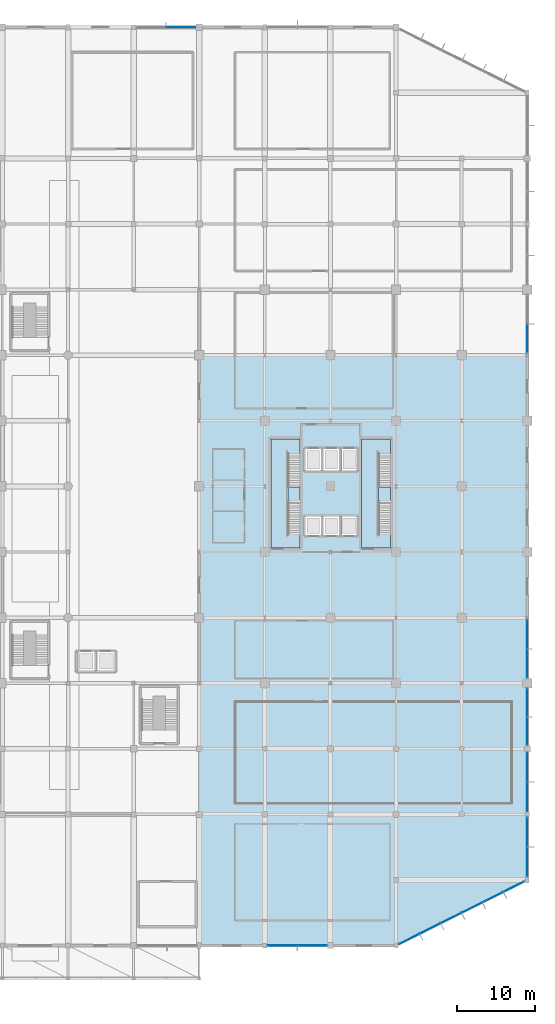
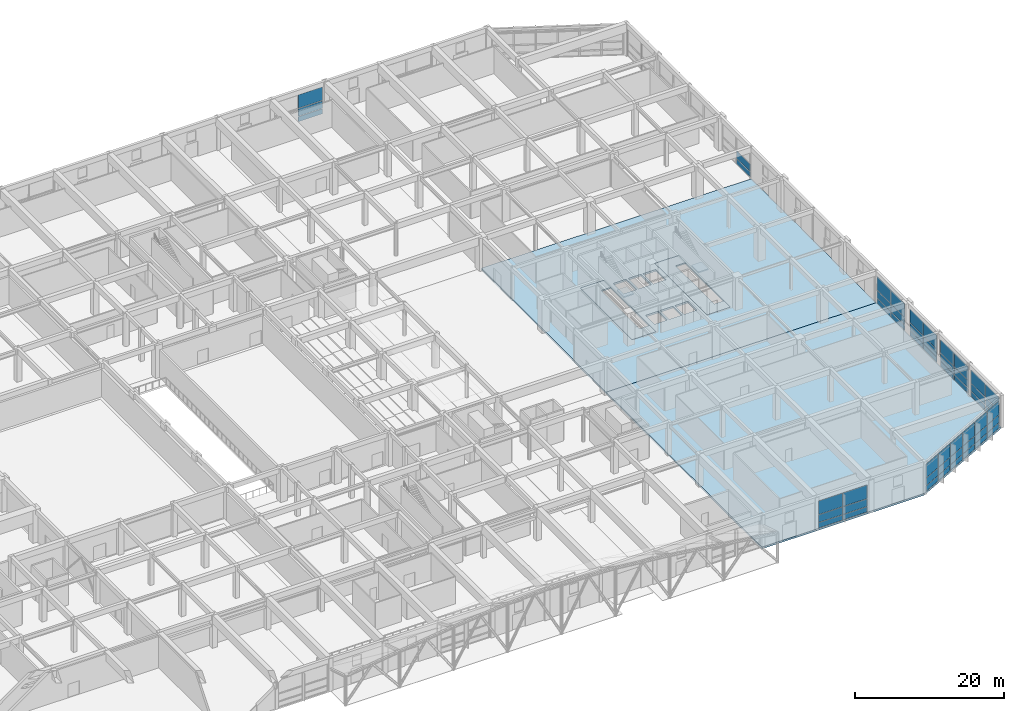
# One storey, part 39 of 62: 53 plates, 6 slabs, 10 elements without a shape of their own.
"""IFC4 building model written with IfcOpenShell, lengths in metres."""

from ifc_helpers import new_model, si_unit, direction, frame, origin, origin_2d, place, context, subcontext, project, spatial, polyline, rectangle, outline, extrude, material, layer, layer_set, type_object, element, aggregate, save


model = new_model("IFC4")

# Units and contexts
model_context = context("Model", 3, precision=1e-05, world=origin(), true_north=direction((0.0, 1.0)))
body_context = subcontext(model_context, "Body", "Model", "MODEL_VIEW")
ifc_project = project(units=[si_unit("LENGTHUNIT", "METRE"), si_unit("AREAUNIT", "SQUARE_METRE"), si_unit("VOLUMEUNIT", "CUBIC_METRE"), si_unit("PLANEANGLEUNIT", "RADIAN"), si_unit("MASSUNIT", "GRAM", prefix="KILO")], contexts=[model_context])

# Site, building, storey
site_placement = place(None, origin())
site = spatial("IfcSite", under=ifc_project, at=site_placement, CompositionType="ELEMENT")
building_placement = place(site_placement, origin())
building = spatial("IfcBuilding", under=site, at=building_placement, Name="Xuanlan Plaza Opera House", CompositionType="ELEMENT")
storey_placement = place(building_placement, origin())
storey = spatial("IfcBuildingStorey", under=building, at=storey_placement, Name="L00", CompositionType="ELEMENT", Elevation=0.0)

# Curtain wall, plates
ifc_material_1 = material(Name="Anodised Aluminium 6063-T6 and Low-E Glass", Category="aluminium")
curtain_wall_type_1 = type_object("IfcCurtainWallType", Name="ENV-CW-CW-04", PredefinedType="USERDEFINED", material=ifc_material_1)
curtain_wall_1_placement = place(storey_placement, origin())
curtain_wall_1 = element("IfcCurtainWall", 1, at=curtain_wall_1_placement, inside=storey, type_object=curtain_wall_type_1, Name="Unitised Curtain Wall L00-018", ObjectType="UNITISED CURTAIN WALL", PredefinedType="USERDEFINED")
ifc_material_2 = material(Name="Laminated Acoustic Double Glazing", Category="glass")
ifc_layer_1 = layer(ifc_material_2, 0.028076171875)
ifc_layer_set_1 = layer_set([ifc_layer_1], Name="Laminated Acoustic Double Glazing")
plate_type_1 = type_object("IfcPlateType", Name="ENV-CWP-01", PredefinedType="CURTAIN_PANEL", material=ifc_layer_set_1)
plate_1_placement = place(storey_placement, frame((168.0, 10.73876953125, 0.074951171875), z_axis=(0.0, 0.0, 1.0), x_axis=(0.0, 1.0, 0.0)))
plate_1 = element("IfcPlate", 2, at=plate_1_placement, type_object=plate_type_1, Name="CW-04 panel 1.1", PredefinedType="CURTAIN_PANEL", context=body_context, shape_type="SweptSolid", body=[
    extrude(rectangle(XDim=3.70751953125, YDim=0.028076171875, at=origin_2d()), origin(), (0.0, 0.0, 1.0), 0.83740234375),
])
plate_2_placement = place(storey_placement, frame((168.0, 10.73876953125, 0.987548828125), z_axis=(0.0, 0.0, 1.0), x_axis=(0.0, 1.0, 0.0)))
plate_2 = element("IfcPlate", 3, at=plate_2_placement, type_object=plate_type_1, Name="CW-04 panel 1.2", PredefinedType="CURTAIN_PANEL", context=body_context, shape_type="SweptSolid", body=[
    extrude(rectangle(XDim=3.70751953125, YDim=0.028076171875, at=origin_2d()), origin(), (0.0, 0.0, 1.0), 1.22509765625),
])
plate_3_placement = place(storey_placement, frame((168.0, 10.73876953125, 2.28759765625), z_axis=(0.0, 0.0, 1.0), x_axis=(0.0, 1.0, 0.0)))
plate_3 = element("IfcPlate", 4, at=plate_3_placement, type_object=plate_type_1, Name="CW-04 panel 1.3", PredefinedType="CURTAIN_PANEL", context=body_context, shape_type="SweptSolid", body=[
    extrude(rectangle(XDim=3.70751953125, YDim=0.028076171875, at=origin_2d()), origin(), (0.0, 0.0, 1.0), 2.217529296875),
])
plate_4_placement = place(storey_placement, frame((168.0, 14.5361328125, 0.074951171875), z_axis=(0.0, 0.0, 1.0), x_axis=(0.0, 1.0, 0.0)))
plate_4 = element("IfcPlate", 5, at=plate_4_placement, type_object=plate_type_1, Name="CW-04 panel 2.1", PredefinedType="CURTAIN_PANEL", context=body_context, shape_type="SweptSolid", body=[
    extrude(rectangle(XDim=3.70751953125, YDim=0.028076171875, at=origin_2d()), origin(), (0.0, 0.0, 1.0), 0.83740234375),
])
plate_5_placement = place(storey_placement, frame((168.0, 14.5361328125, 0.987548828125), z_axis=(0.0, 0.0, 1.0), x_axis=(0.0, 1.0, 0.0)))
plate_5 = element("IfcPlate", 6, at=plate_5_placement, type_object=plate_type_1, Name="CW-04 panel 2.2", PredefinedType="CURTAIN_PANEL", context=body_context, shape_type="SweptSolid", body=[
    extrude(rectangle(XDim=3.70751953125, YDim=0.028076171875, at=origin_2d()), origin(), (0.0, 0.0, 1.0), 1.22509765625),
])
plate_6_placement = place(storey_placement, frame((168.0, 14.5361328125, 2.28759765625), z_axis=(0.0, 0.0, 1.0), x_axis=(0.0, 1.0, 0.0)))
plate_6 = element("IfcPlate", 7, at=plate_6_placement, type_object=plate_type_1, Name="CW-04 panel 2.3", PredefinedType="CURTAIN_PANEL", context=body_context, shape_type="SweptSolid", body=[
    extrude(rectangle(XDim=3.70751953125, YDim=0.028076171875, at=origin_2d()), origin(), (0.0, 0.0, 1.0), 2.217529296875),
])
aggregate(curtain_wall_1, [plate_1, plate_2, plate_3, plate_4, plate_5, plate_6])

curtain_wall_type_2 = type_object("IfcCurtainWallType", Name="ENV-CW-CW-01", PredefinedType="USERDEFINED", material=ifc_material_1)
curtain_wall_2_placement = place(storey_placement, origin())
curtain_wall_2 = element("IfcCurtainWall", 8, at=curtain_wall_2_placement, inside=storey, type_object=curtain_wall_type_2, Name="Unitised Curtain Wall L00-015", ObjectType="UNITISED CURTAIN WALL", PredefinedType="USERDEFINED")
ifc_layer_2 = layer(ifc_material_2, 0.031982421875)
ifc_layer_set_2 = layer_set([ifc_layer_2], Name="Laminated Acoustic Double Glazing")
plate_type_2 = type_object("IfcPlateType", Name="ENV-CWP-02", PredefinedType="CURTAIN_PANEL", material=ifc_layer_set_2)
plate_7_placement = place(storey_placement, frame((136.652587890625, 0.0, 0.06982421875), z_axis=(0.0, 0.0, 1.0), x_axis=(1.0, 0.0, 0.0)))
plate_7 = element("IfcPlate", 9, at=plate_7_placement, type_object=plate_type_2, Name="CW-01 panel 1.1", PredefinedType="CURTAIN_PANEL", context=body_context, shape_type="SweptSolid", body=[
    extrude(rectangle(XDim=3.72509765625, YDim=0.031982421875, at=origin_2d()), origin(), (0.0, 0.0, 1.0), 0.844970703125),
])
plate_8_placement = place(storey_placement, frame((136.652587890625, 0.0, 0.985107421875), z_axis=(0.0, 0.0, 1.0), x_axis=(1.0, 0.0, 0.0)))
plate_8 = element("IfcPlate", 10, at=plate_8_placement, type_object=plate_type_2, Name="CW-01 panel 1.2", PredefinedType="CURTAIN_PANEL", context=body_context, shape_type="SweptSolid", body=[
    extrude(rectangle(XDim=3.72509765625, YDim=0.031982421875, at=origin_2d()), origin(), (0.0, 0.0, 1.0), 1.22998046875),
])
plate_9_placement = place(storey_placement, frame((136.652587890625, 0.0, 2.284912109375), z_axis=(0.0, 0.0, 1.0), x_axis=(1.0, 0.0, 0.0)))
plate_9 = element("IfcPlate", 11, at=plate_9_placement, type_object=plate_type_2, Name="CW-01 panel 1.3", PredefinedType="CURTAIN_PANEL", context=body_context, shape_type="SweptSolid", body=[
    extrude(rectangle(XDim=3.72509765625, YDim=0.031982421875, at=origin_2d()), origin(), (0.0, 0.0, 1.0), 2.22509765625),
])
plate_10_placement = place(storey_placement, frame((140.447509765625, 0.0, 0.06982421875), z_axis=(0.0, 0.0, 1.0), x_axis=(1.0, 0.0, 0.0)))
plate_10 = element("IfcPlate", 12, at=plate_10_placement, type_object=plate_type_2, Name="CW-01 panel 2.1", PredefinedType="CURTAIN_PANEL", context=body_context, shape_type="SweptSolid", body=[
    extrude(rectangle(XDim=3.72509765625, YDim=0.031982421875, at=origin_2d()), origin(), (0.0, 0.0, 1.0), 0.844970703125),
])
plate_11_placement = place(storey_placement, frame((140.447509765625, 0.0, 0.985107421875), z_axis=(0.0, 0.0, 1.0), x_axis=(1.0, 0.0, 0.0)))
plate_11 = element("IfcPlate", 13, at=plate_11_placement, type_object=plate_type_2, Name="CW-01 panel 2.2", PredefinedType="CURTAIN_PANEL", context=body_context, shape_type="SweptSolid", body=[
    extrude(rectangle(XDim=3.72509765625, YDim=0.031982421875, at=origin_2d()), origin(), (0.0, 0.0, 1.0), 1.22998046875),
])
plate_12_placement = place(storey_placement, frame((140.447509765625, 0.0, 2.284912109375), z_axis=(0.0, 0.0, 1.0), x_axis=(1.0, 0.0, 0.0)))
plate_12 = element("IfcPlate", 14, at=plate_12_placement, type_object=plate_type_2, Name="CW-01 panel 2.3", PredefinedType="CURTAIN_PANEL", context=body_context, shape_type="SweptSolid", body=[
    extrude(rectangle(XDim=3.72509765625, YDim=0.031982421875, at=origin_2d()), origin(), (0.0, 0.0, 1.0), 2.22509765625),
])
aggregate(curtain_wall_2, [plate_7, plate_8, plate_9, plate_10, plate_11, plate_12])

curtain_wall_type_3 = type_object("IfcCurtainWallType", Name="ENV-CW-CW-02", PredefinedType="USERDEFINED", material=ifc_material_1)
curtain_wall_3_placement = place(storey_placement, origin())
curtain_wall_3 = element("IfcCurtainWall", 15, at=curtain_wall_3_placement, inside=storey, type_object=curtain_wall_type_3, Name="Unitised Curtain Wall L00-020", ObjectType="UNITISED CURTAIN WALL", PredefinedType="USERDEFINED")
plate_13_placement = place(storey_placement, frame((168.0, 27.4775390625, 0.06982421875), z_axis=(0.0, 0.0, 1.0), x_axis=(0.0, 1.0, 0.0)))
plate_13 = element("IfcPlate", 16, at=plate_13_placement, type_object=plate_type_2, Name="CW-02 panel 1.1", PredefinedType="CURTAIN_PANEL", context=body_context, shape_type="SweptSolid", body=[
    extrude(rectangle(XDim=3.574951171875, YDim=0.031982421875, at=origin_2d()), origin(), (0.0, 0.0, 1.0), 0.844970703125),
])
plate_14_placement = place(storey_placement, frame((168.0, 27.4775390625, 0.985107421875), z_axis=(0.0, 0.0, 1.0), x_axis=(0.0, 1.0, 0.0)))
plate_14 = element("IfcPlate", 17, at=plate_14_placement, type_object=plate_type_2, Name="CW-02 panel 1.2", PredefinedType="CURTAIN_PANEL", context=body_context, shape_type="SweptSolid", body=[
    extrude(rectangle(XDim=3.574951171875, YDim=0.031982421875, at=origin_2d()), origin(), (0.0, 0.0, 1.0), 1.22998046875),
])
plate_15_placement = place(storey_placement, frame((168.0, 27.4775390625, 2.284912109375), z_axis=(0.0, 0.0, 1.0), x_axis=(0.0, 1.0, 0.0)))
plate_15 = element("IfcPlate", 18, at=plate_15_placement, type_object=plate_type_2, Name="CW-02 panel 1.3", PredefinedType="CURTAIN_PANEL", context=body_context, shape_type="SweptSolid", body=[
    extrude(rectangle(XDim=3.574951171875, YDim=0.031982421875, at=origin_2d()), origin(), (0.0, 0.0, 1.0), 2.22509765625),
])
plate_16_placement = place(storey_placement, frame((168.0, 31.12255859375, 0.06982421875), z_axis=(0.0, 0.0, 1.0), x_axis=(0.0, 1.0, 0.0)))
plate_16 = element("IfcPlate", 19, at=plate_16_placement, type_object=plate_type_2, Name="CW-02 panel 2.1", PredefinedType="CURTAIN_PANEL", context=body_context, shape_type="SweptSolid", body=[
    extrude(rectangle(XDim=3.574951171875, YDim=0.031982421875, at=origin_2d()), origin(), (0.0, 0.0, 1.0), 0.844970703125),
])
plate_17_placement = place(storey_placement, frame((168.0, 31.12255859375, 0.985107421875), z_axis=(0.0, 0.0, 1.0), x_axis=(0.0, 1.0, 0.0)))
plate_17 = element("IfcPlate", 20, at=plate_17_placement, type_object=plate_type_2, Name="CW-02 panel 2.2", PredefinedType="CURTAIN_PANEL", context=body_context, shape_type="SweptSolid", body=[
    extrude(rectangle(XDim=3.574951171875, YDim=0.031982421875, at=origin_2d()), origin(), (0.0, 0.0, 1.0), 1.22998046875),
])
plate_18_placement = place(storey_placement, frame((168.0, 31.12255859375, 2.284912109375), z_axis=(0.0, 0.0, 1.0), x_axis=(0.0, 1.0, 0.0)))
plate_18 = element("IfcPlate", 21, at=plate_18_placement, type_object=plate_type_2, Name="CW-02 panel 2.3", PredefinedType="CURTAIN_PANEL", context=body_context, shape_type="SweptSolid", body=[
    extrude(rectangle(XDim=3.574951171875, YDim=0.031982421875, at=origin_2d()), origin(), (0.0, 0.0, 1.0), 2.22509765625),
])
aggregate(curtain_wall_3, [plate_13, plate_14, plate_15, plate_16, plate_17, plate_18])

curtain_wall_type_4 = type_object("IfcCurtainWallType", Name="ENV-CW-CW-03", PredefinedType="USERDEFINED", material=ifc_material_1)
curtain_wall_4_placement = place(storey_placement, origin())
curtain_wall_4 = element("IfcCurtainWall", 22, at=curtain_wall_4_placement, inside=storey, type_object=curtain_wall_type_4, Name="Unitised Curtain Wall L00-017", ObjectType="UNITISED CURTAIN WALL", PredefinedType="USERDEFINED")
ifc_layer_3 = layer(ifc_material_2, 0.035888671875)
ifc_layer_set_3 = layer_set([ifc_layer_3], Name="Laminated Acoustic Double Glazing")
plate_type_3 = type_object("IfcPlateType", Name="ENV-CWP-03", PredefinedType="CURTAIN_PANEL", material=ifc_layer_set_3)
plate_19_placement = place(storey_placement, frame((152.90771484375, 0.853759765625, 0.06494140625), z_axis=(0.0, 0.0, 1.0), x_axis=(0.894427191001, 0.447213595499, 0.0)))
plate_19 = element("IfcPlate", 23, at=plate_19_placement, type_object=plate_type_3, Name="CW-03 panel 1.1", PredefinedType="CURTAIN_PANEL", context=body_context, shape_type="SweptSolid", body=[
    extrude(rectangle(XDim=2.875244140625, YDim=0.035888671875, at=origin_2d()), origin(), (0.0, 0.0, 1.0), 0.8525390625),
])
plate_20_placement = place(storey_placement, frame((152.90771484375, 0.853759765625, 0.982421875), z_axis=(0.0, 0.0, 1.0), x_axis=(0.894427191001, 0.447213595499, 0.0)))
plate_20 = element("IfcPlate", 24, at=plate_20_placement, type_object=plate_type_3, Name="CW-03 panel 1.2", PredefinedType="CURTAIN_PANEL", context=body_context, shape_type="SweptSolid", body=[
    extrude(rectangle(XDim=2.875244140625, YDim=0.035888671875, at=origin_2d()), origin(), (0.0, 0.0, 1.0), 1.235107421875),
])
plate_21_placement = place(storey_placement, frame((152.90771484375, 0.853759765625, 2.282470703125), z_axis=(0.0, 0.0, 1.0), x_axis=(0.894427191001, 0.447213595499, 0.0)))
plate_21 = element("IfcPlate", 25, at=plate_21_placement, type_object=plate_type_3, Name="CW-03 panel 1.3", PredefinedType="CURTAIN_PANEL", context=body_context, shape_type="SweptSolid", body=[
    extrude(rectangle(XDim=2.875244140625, YDim=0.035888671875, at=origin_2d()), origin(), (0.0, 0.0, 1.0), 2.232421875),
])
plate_22_placement = place(storey_placement, frame((155.56884765625, 2.184326171875, 0.06494140625), z_axis=(0.0, 0.0, 1.0), x_axis=(0.894427191001, 0.447213595499, 0.0)))
plate_22 = element("IfcPlate", 26, at=plate_22_placement, type_object=plate_type_3, Name="CW-03 panel 2.1", PredefinedType="CURTAIN_PANEL", context=body_context, shape_type="SweptSolid", body=[
    extrude(rectangle(XDim=2.915283203125, YDim=0.035888671875, at=origin_2d()), origin(), (0.0, 0.0, 1.0), 0.8525390625),
])
plate_23_placement = place(storey_placement, frame((155.56884765625, 2.184326171875, 0.982421875), z_axis=(0.0, 0.0, 1.0), x_axis=(0.894427191001, 0.447213595499, 0.0)))
plate_23 = element("IfcPlate", 27, at=plate_23_placement, type_object=plate_type_3, Name="CW-03 panel 2.2", PredefinedType="CURTAIN_PANEL", context=body_context, shape_type="SweptSolid", body=[
    extrude(rectangle(XDim=2.915283203125, YDim=0.035888671875, at=origin_2d()), origin(), (0.0, 0.0, 1.0), 1.235107421875),
])
plate_24_placement = place(storey_placement, frame((155.56884765625, 2.184326171875, 2.282470703125), z_axis=(0.0, 0.0, 1.0), x_axis=(0.894427191001, 0.447213595499, 0.0)))
plate_24 = element("IfcPlate", 28, at=plate_24_placement, type_object=plate_type_3, Name="CW-03 panel 2.3", PredefinedType="CURTAIN_PANEL", context=body_context, shape_type="SweptSolid", body=[
    extrude(rectangle(XDim=2.915283203125, YDim=0.035888671875, at=origin_2d()), origin(), (0.0, 0.0, 1.0), 2.232421875),
])
plate_25_placement = place(storey_placement, frame((158.248046875, 3.52392578125, 0.06494140625), z_axis=(0.0, 0.0, 1.0), x_axis=(0.894427191001, 0.447213595499, 0.0)))
plate_25 = element("IfcPlate", 29, at=plate_25_placement, type_object=plate_type_3, Name="CW-03 panel 3.1", PredefinedType="CURTAIN_PANEL", context=body_context, shape_type="SweptSolid", body=[
    extrude(rectangle(XDim=2.915283203125, YDim=0.035888671875, at=origin_2d()), origin(), (0.0, 0.0, 1.0), 0.8525390625),
])
plate_26_placement = place(storey_placement, frame((158.248046875, 3.52392578125, 0.982421875), z_axis=(0.0, 0.0, 1.0), x_axis=(0.894427191001, 0.447213595499, 0.0)))
plate_26 = element("IfcPlate", 30, at=plate_26_placement, type_object=plate_type_3, Name="CW-03 panel 3.2", PredefinedType="CURTAIN_PANEL", context=body_context, shape_type="SweptSolid", body=[
    extrude(rectangle(XDim=2.915283203125, YDim=0.035888671875, at=origin_2d()), origin(), (0.0, 0.0, 1.0), 1.235107421875),
])
plate_27_placement = place(storey_placement, frame((158.248046875, 3.52392578125, 2.282470703125), z_axis=(0.0, 0.0, 1.0), x_axis=(0.894427191001, 0.447213595499, 0.0)))
plate_27 = element("IfcPlate", 31, at=plate_27_placement, type_object=plate_type_3, Name="CW-03 panel 3.3", PredefinedType="CURTAIN_PANEL", context=body_context, shape_type="SweptSolid", body=[
    extrude(rectangle(XDim=2.915283203125, YDim=0.035888671875, at=origin_2d()), origin(), (0.0, 0.0, 1.0), 2.232421875),
])
plate_28_placement = place(storey_placement, frame((160.927001953125, 4.863525390625, 0.06494140625), z_axis=(0.0, 0.0, 1.0), x_axis=(0.894427191001, 0.447213595499, 0.0)))
plate_28 = element("IfcPlate", 32, at=plate_28_placement, type_object=plate_type_3, Name="CW-03 panel 4.1", PredefinedType="CURTAIN_PANEL", context=body_context, shape_type="SweptSolid", body=[
    extrude(rectangle(XDim=2.915283203125, YDim=0.035888671875, at=origin_2d()), origin(), (0.0, 0.0, 1.0), 0.8525390625),
])
plate_29_placement = place(storey_placement, frame((160.927001953125, 4.863525390625, 0.982421875), z_axis=(0.0, 0.0, 1.0), x_axis=(0.894427191001, 0.447213595499, 0.0)))
plate_29 = element("IfcPlate", 33, at=plate_29_placement, type_object=plate_type_3, Name="CW-03 panel 4.2", PredefinedType="CURTAIN_PANEL", context=body_context, shape_type="SweptSolid", body=[
    extrude(rectangle(XDim=2.915283203125, YDim=0.035888671875, at=origin_2d()), origin(), (0.0, 0.0, 1.0), 1.235107421875),
])
plate_30_placement = place(storey_placement, frame((160.927001953125, 4.863525390625, 2.282470703125), z_axis=(0.0, 0.0, 1.0), x_axis=(0.894427191001, 0.447213595499, 0.0)))
plate_30 = element("IfcPlate", 34, at=plate_30_placement, type_object=plate_type_3, Name="CW-03 panel 4.3", PredefinedType="CURTAIN_PANEL", context=body_context, shape_type="SweptSolid", body=[
    extrude(rectangle(XDim=2.915283203125, YDim=0.035888671875, at=origin_2d()), origin(), (0.0, 0.0, 1.0), 2.232421875),
])
plate_31_placement = place(storey_placement, frame((163.606201171875, 6.203125, 0.06494140625), z_axis=(0.0, 0.0, 1.0), x_axis=(0.894427191001, 0.447213595499, 0.0)))
plate_31 = element("IfcPlate", 35, at=plate_31_placement, type_object=plate_type_3, Name="CW-03 panel 5.1", PredefinedType="CURTAIN_PANEL", context=body_context, shape_type="SweptSolid", body=[
    extrude(rectangle(XDim=2.915283203125, YDim=0.035888671875, at=origin_2d()), origin(), (0.0, 0.0, 1.0), 0.8525390625),
])
plate_32_placement = place(storey_placement, frame((163.606201171875, 6.203125, 0.982421875), z_axis=(0.0, 0.0, 1.0), x_axis=(0.894427191001, 0.447213595499, 0.0)))
plate_32 = element("IfcPlate", 36, at=plate_32_placement, type_object=plate_type_3, Name="CW-03 panel 5.2", PredefinedType="CURTAIN_PANEL", context=body_context, shape_type="SweptSolid", body=[
    extrude(rectangle(XDim=2.915283203125, YDim=0.035888671875, at=origin_2d()), origin(), (0.0, 0.0, 1.0), 1.235107421875),
])
plate_33_placement = place(storey_placement, frame((163.606201171875, 6.203125, 2.282470703125), z_axis=(0.0, 0.0, 1.0), x_axis=(0.894427191001, 0.447213595499, 0.0)))
plate_33 = element("IfcPlate", 37, at=plate_33_placement, type_object=plate_type_3, Name="CW-03 panel 5.3", PredefinedType="CURTAIN_PANEL", context=body_context, shape_type="SweptSolid", body=[
    extrude(rectangle(XDim=2.915283203125, YDim=0.035888671875, at=origin_2d()), origin(), (0.0, 0.0, 1.0), 2.232421875),
])
plate_34_placement = place(storey_placement, frame((166.267333984375, 7.53369140625, 0.06494140625), z_axis=(0.0, 0.0, 1.0), x_axis=(0.894427191001, 0.447213595499, 0.0)))
plate_34 = element("IfcPlate", 38, at=plate_34_placement, type_object=plate_type_3, Name="CW-03 panel 6.1", PredefinedType="CURTAIN_PANEL", context=body_context, shape_type="SweptSolid", body=[
    extrude(rectangle(XDim=2.875244140625, YDim=0.035888671875, at=origin_2d()), origin(), (0.0, 0.0, 1.0), 0.8525390625),
])
plate_35_placement = place(storey_placement, frame((166.267333984375, 7.53369140625, 0.982421875), z_axis=(0.0, 0.0, 1.0), x_axis=(0.894427191001, 0.447213595499, 0.0)))
plate_35 = element("IfcPlate", 39, at=plate_35_placement, type_object=plate_type_3, Name="CW-03 panel 6.2", PredefinedType="CURTAIN_PANEL", context=body_context, shape_type="SweptSolid", body=[
    extrude(rectangle(XDim=2.875244140625, YDim=0.035888671875, at=origin_2d()), origin(), (0.0, 0.0, 1.0), 1.235107421875),
])
plate_36_placement = place(storey_placement, frame((166.267333984375, 7.53369140625, 2.282470703125), z_axis=(0.0, 0.0, 1.0), x_axis=(0.894427191001, 0.447213595499, 0.0)))
plate_36 = element("IfcPlate", 40, at=plate_36_placement, type_object=plate_type_3, Name="CW-03 panel 6.3", PredefinedType="CURTAIN_PANEL", context=body_context, shape_type="SweptSolid", body=[
    extrude(rectangle(XDim=2.875244140625, YDim=0.035888671875, at=origin_2d()), origin(), (0.0, 0.0, 1.0), 2.232421875),
])
aggregate(curtain_wall_4, [plate_19, plate_20, plate_21, plate_22, plate_23, plate_24, plate_25, plate_26, plate_27, plate_28, plate_29, plate_30, plate_31, plate_32, plate_33, plate_34, plate_35, plate_36])

curtain_wall_5_placement = place(storey_placement, origin())
curtain_wall_5 = element("IfcCurtainWall", 41, at=curtain_wall_5_placement, inside=storey, type_object=curtain_wall_type_2, Name="Unitised Curtain Wall L00-019", ObjectType="UNITISED CURTAIN WALL", PredefinedType="USERDEFINED")
ifc_layer_4 = layer(ifc_material_2, 0.0400390625)
ifc_layer_set_4 = layer_set([ifc_layer_4], Name="Laminated Acoustic Double Glazing")
plate_type_4 = type_object("IfcPlateType", Name="ENV-CWP-04", PredefinedType="CURTAIN_PANEL", material=ifc_layer_set_4)
plate_37_placement = place(storey_placement, frame((168.0, 19.05126953125, 0.090087890625), z_axis=(0.0, 0.0, 1.0), x_axis=(0.0, 1.0, 0.0)))
plate_37 = element("IfcPlate", 42, at=plate_37_placement, type_object=plate_type_4, Name="CW-01 panel 1.1", PredefinedType="CURTAIN_PANEL", context=body_context, shape_type="SweptSolid", body=[
    extrude(rectangle(XDim=3.732421875, YDim=0.0400390625, at=origin_2d()), origin(), (0.0, 0.0, 1.0), 0.81494140625),
])
plate_38_placement = place(storey_placement, frame((168.0, 19.05126953125, 0.9951171875), z_axis=(0.0, 0.0, 1.0), x_axis=(0.0, 1.0, 0.0)))
plate_38 = element("IfcPlate", 43, at=plate_38_placement, type_object=plate_type_4, Name="CW-01 panel 1.2", PredefinedType="CURTAIN_PANEL", context=body_context, shape_type="SweptSolid", body=[
    extrude(rectangle(XDim=3.732421875, YDim=0.0400390625, at=origin_2d()), origin(), (0.0, 0.0, 1.0), 1.2099609375),
])
plate_39_placement = place(storey_placement, frame((168.0, 19.05126953125, 2.294921875), z_axis=(0.0, 0.0, 1.0), x_axis=(0.0, 1.0, 0.0)))
plate_39 = element("IfcPlate", 44, at=plate_39_placement, type_object=plate_type_4, Name="CW-01 panel 1.3", PredefinedType="CURTAIN_PANEL", context=body_context, shape_type="SweptSolid", body=[
    extrude(rectangle(XDim=3.732421875, YDim=0.0400390625, at=origin_2d()), origin(), (0.0, 0.0, 1.0), 2.195068359375),
])
plate_40_placement = place(storey_placement, frame((168.0, 22.8486328125, 0.090087890625), z_axis=(0.0, 0.0, 1.0), x_axis=(0.0, 1.0, 0.0)))
plate_40 = element("IfcPlate", 45, at=plate_40_placement, type_object=plate_type_4, Name="CW-01 panel 2.1", PredefinedType="CURTAIN_PANEL", context=body_context, shape_type="SweptSolid", body=[
    extrude(rectangle(XDim=3.732421875, YDim=0.0400390625, at=origin_2d()), origin(), (0.0, 0.0, 1.0), 0.81494140625),
])
plate_41_placement = place(storey_placement, frame((168.0, 22.8486328125, 0.9951171875), z_axis=(0.0, 0.0, 1.0), x_axis=(0.0, 1.0, 0.0)))
plate_41 = element("IfcPlate", 46, at=plate_41_placement, type_object=plate_type_4, Name="CW-01 panel 2.2", PredefinedType="CURTAIN_PANEL", context=body_context, shape_type="SweptSolid", body=[
    extrude(rectangle(XDim=3.732421875, YDim=0.0400390625, at=origin_2d()), origin(), (0.0, 0.0, 1.0), 1.2099609375),
])
plate_42_placement = place(storey_placement, frame((168.0, 22.8486328125, 2.294921875), z_axis=(0.0, 0.0, 1.0), x_axis=(0.0, 1.0, 0.0)))
plate_42 = element("IfcPlate", 47, at=plate_42_placement, type_object=plate_type_4, Name="CW-01 panel 2.3", PredefinedType="CURTAIN_PANEL", context=body_context, shape_type="SweptSolid", body=[
    extrude(rectangle(XDim=3.732421875, YDim=0.0400390625, at=origin_2d()), origin(), (0.0, 0.0, 1.0), 2.195068359375),
])
aggregate(curtain_wall_5, [plate_37, plate_38, plate_39, plate_40, plate_41, plate_42])

curtain_wall_type_5 = type_object("IfcCurtainWallType", Name="ENV-CW-CW-05", PredefinedType="USERDEFINED", material=ifc_material_1)
curtain_wall_6_placement = place(storey_placement, origin())
curtain_wall_6 = element("IfcCurtainWall", 48, at=curtain_wall_6_placement, inside=storey, type_object=curtain_wall_type_5, Name="Acoustic Glazed Wall L00-034", ObjectType="ACOUSTIC GLAZED WALL", PredefinedType="USERDEFINED")
plate_43_placement = place(storey_placement, frame((123.648681640625, 117.60009765625, 0.090087890625), z_axis=(0.0, 0.0, 1.0), x_axis=(-1.0, 0.0, 0.0)))
plate_43 = element("IfcPlate", 49, at=plate_43_placement, type_object=plate_type_4, Name="CW-05 panel 1.1", PredefinedType="CURTAIN_PANEL", context=body_context, shape_type="SweptSolid", body=[
    extrude(rectangle(XDim=3.732421875, YDim=0.0400390625, at=origin_2d()), origin(), (0.0, 0.0, 1.0), 0.81494140625),
])
plate_44_placement = place(storey_placement, frame((123.648681640625, 117.60009765625, 0.9951171875), z_axis=(0.0, 0.0, 1.0), x_axis=(-1.0, 0.0, 0.0)))
plate_44 = element("IfcPlate", 50, at=plate_44_placement, type_object=plate_type_4, Name="CW-05 panel 1.2", PredefinedType="CURTAIN_PANEL", context=body_context, shape_type="SweptSolid", body=[
    extrude(rectangle(XDim=3.732421875, YDim=0.0400390625, at=origin_2d()), origin(), (0.0, 0.0, 1.0), 1.2099609375),
])
plate_45_placement = place(storey_placement, frame((123.648681640625, 117.60009765625, 2.294921875), z_axis=(0.0, 0.0, 1.0), x_axis=(-1.0, 0.0, 0.0)))
plate_45 = element("IfcPlate", 51, at=plate_45_placement, type_object=plate_type_4, Name="CW-05 panel 1.3", PredefinedType="CURTAIN_PANEL", context=body_context, shape_type="SweptSolid", body=[
    extrude(rectangle(XDim=3.732421875, YDim=0.0400390625, at=origin_2d()), origin(), (0.0, 0.0, 1.0), 2.195068359375),
])
aggregate(curtain_wall_6, [plate_43, plate_44, plate_45])

curtain_wall_7_placement = place(storey_placement, origin())
curtain_wall_7 = element("IfcCurtainWall", 52, at=curtain_wall_7_placement, inside=storey, type_object=curtain_wall_type_4, Name="Unitised Curtain Wall L00-021", ObjectType="UNITISED CURTAIN WALL", PredefinedType="USERDEFINED")
ifc_layer_5 = layer(ifc_material_2, 0.0439453125)
ifc_layer_set_5 = layer_set([ifc_layer_5], Name="Laminated Acoustic Double Glazing")
plate_type_5 = type_object("IfcPlateType", Name="ENV-CWP-05", PredefinedType="CURTAIN_PANEL", material=ifc_layer_set_5)
plate_46_placement = place(storey_placement, frame((168.0, 36.126953125, 0.080078125), z_axis=(0.0, 0.0, 1.0), x_axis=(0.0, 1.0, 0.0)))
plate_46 = element("IfcPlate", 53, at=plate_46_placement, type_object=plate_type_5, Name="CW-03 panel 1.1", PredefinedType="CURTAIN_PANEL", context=body_context, shape_type="SweptSolid", body=[
    extrude(rectangle(XDim=3.6640625, YDim=0.0439453125, at=origin_2d()), origin(), (0.0, 0.0, 1.0), 0.830078125),
])
plate_47_placement = place(storey_placement, frame((168.0, 36.126953125, 0.990234375), z_axis=(0.0, 0.0, 1.0), x_axis=(0.0, 1.0, 0.0)))
plate_47 = element("IfcPlate", 54, at=plate_47_placement, type_object=plate_type_5, Name="CW-03 panel 1.2", PredefinedType="CURTAIN_PANEL", context=body_context, shape_type="SweptSolid", body=[
    extrude(rectangle(XDim=3.6640625, YDim=0.0439453125, at=origin_2d()), origin(), (0.0, 0.0, 1.0), 1.219970703125),
])
plate_48_placement = place(storey_placement, frame((168.0, 36.126953125, 2.2900390625), z_axis=(0.0, 0.0, 1.0), x_axis=(0.0, 1.0, 0.0)))
plate_48 = element("IfcPlate", 55, at=plate_48_placement, type_object=plate_type_5, Name="CW-03 panel 1.3", PredefinedType="CURTAIN_PANEL", context=body_context, shape_type="SweptSolid", body=[
    extrude(rectangle(XDim=3.6640625, YDim=0.0439453125, at=origin_2d()), origin(), (0.0, 0.0, 1.0), 2.2099609375),
])
plate_49_placement = place(storey_placement, frame((168.0, 39.865966796875, 0.080078125), z_axis=(0.0, 0.0, 1.0), x_axis=(0.0, 1.0, 0.0)))
plate_49 = element("IfcPlate", 56, at=plate_49_placement, type_object=plate_type_5, Name="CW-03 panel 2.1", PredefinedType="CURTAIN_PANEL", context=body_context, shape_type="SweptSolid", body=[
    extrude(rectangle(XDim=3.6640625, YDim=0.0439453125, at=origin_2d()), origin(), (0.0, 0.0, 1.0), 0.830078125),
])
plate_50_placement = place(storey_placement, frame((168.0, 39.865966796875, 0.990234375), z_axis=(0.0, 0.0, 1.0), x_axis=(0.0, 1.0, 0.0)))
plate_50 = element("IfcPlate", 57, at=plate_50_placement, type_object=plate_type_5, Name="CW-03 panel 2.2", PredefinedType="CURTAIN_PANEL", context=body_context, shape_type="SweptSolid", body=[
    extrude(rectangle(XDim=3.6640625, YDim=0.0439453125, at=origin_2d()), origin(), (0.0, 0.0, 1.0), 1.219970703125),
])
plate_51_placement = place(storey_placement, frame((168.0, 39.865966796875, 2.2900390625), z_axis=(0.0, 0.0, 1.0), x_axis=(0.0, 1.0, 0.0)))
plate_51 = element("IfcPlate", 58, at=plate_51_placement, type_object=plate_type_5, Name="CW-03 panel 2.3", PredefinedType="CURTAIN_PANEL", context=body_context, shape_type="SweptSolid", body=[
    extrude(rectangle(XDim=3.6640625, YDim=0.0439453125, at=origin_2d()), origin(), (0.0, 0.0, 1.0), 2.2099609375),
])
aggregate(curtain_wall_7, [plate_46, plate_47, plate_48, plate_49, plate_50, plate_51])

curtain_wall_8_placement = place(storey_placement, origin())
curtain_wall_8 = element("IfcCurtainWall", 59, at=curtain_wall_8_placement, inside=storey, type_object=curtain_wall_type_1, Name="Unitised Curtain Wall L00-026", ObjectType="UNITISED CURTAIN WALL", PredefinedType="USERDEFINED")
plate_52_placement = place(storey_placement, frame((168.0, 77.73388671875, 0.080078125), z_axis=(0.0, 0.0, 1.0), x_axis=(0.0, 1.0, 0.0)))
plate_52 = element("IfcPlate", 60, at=plate_52_placement, type_object=plate_type_5, Name="CW-04 panel 1.1", PredefinedType="CURTAIN_PANEL", context=body_context, shape_type="SweptSolid", body=[
    extrude(rectangle(XDim=3.6640625, YDim=0.0439453125, at=origin_2d()), origin(), (0.0, 0.0, 1.0), 0.830078125),
])
plate_53_placement = place(storey_placement, frame((168.0, 77.73388671875, 0.990234375), z_axis=(0.0, 0.0, 1.0), x_axis=(0.0, 1.0, 0.0)))
plate_53 = element("IfcPlate", 61, at=plate_53_placement, type_object=plate_type_5, Name="CW-04 panel 1.2", PredefinedType="CURTAIN_PANEL", context=body_context, shape_type="SweptSolid", body=[
    extrude(rectangle(XDim=3.6640625, YDim=0.0439453125, at=origin_2d()), origin(), (0.0, 0.0, 1.0), 1.219970703125),
])
aggregate(curtain_wall_8, [plate_52, plate_53])

# Stair, slabs
ifc_material_3 = material(Name="Concrete C40", Category="concrete")
stair_type = type_object("IfcStairType", Name="INT-ST-STR-T155", PredefinedType="STRAIGHT_RUN_STAIR", material=ifc_material_3)
stair_1_placement = place(storey_placement, origin())
stair_1 = element("IfcStair", 62, at=stair_1_placement, inside=storey, type_object=stair_type, Name="Protected Exit Stair ST-T1 L00", PredefinedType="STRAIGHT_RUN_STAIR")
ifc_layer_6 = layer(ifc_material_3, 0.199951171875)
ifc_layer_set_6 = layer_set([ifc_layer_6], Name="Concrete C40")
slab_type_1 = type_object("IfcSlabType", Name="INT-SLB-LND-20", PredefinedType="LANDING", material=ifc_layer_set_6)
slab_1_placement = place(storey_placement, frame((0.0, 0.0, 2.5)))
slab_1 = element("IfcSlab", 63, at=slab_1_placement, type_object=slab_type_1, Name="ST-T1-L00 landing 1", PredefinedType="LANDING", context=body_context, shape_type="SweptSolid", body=[
    extrude(outline(polyline([(137.35009765625, 56.85009765625), (138.89990234375, 56.85009765625), (138.89990234375, 58.75), (137.35009765625, 58.75), (137.35009765625, 56.85009765625)])), origin(), (0.0, 0.0, 1.0), 0.199951171875),
])
slab_2_placement = place(storey_placement, frame((0.0, 0.0, -0.199951171875)))
slab_2 = element("IfcSlab", 64, at=slab_2_placement, type_object=slab_type_1, Name="ST-T1-L00 landing 2", PredefinedType="LANDING", context=body_context, shape_type="SweptSolid", body=[
    extrude(outline(polyline([(135.199951171875, 50.89990234375), (138.89990234375, 50.89990234375), (138.89990234375, 52.625), (137.35009765625, 52.625), (137.35009765625, 62.97509765625), (138.89990234375, 62.97509765625), (138.89990234375, 64.89990234375), (135.199951171875, 64.89990234375), (135.199951171875, 50.89990234375)])), origin(), (0.0, 0.0, 1.0), 0.199951171875),
])
aggregate(stair_1, [slab_1, slab_2])

stair_2_placement = place(storey_placement, origin())
stair_2 = element("IfcStair", 65, at=stair_2_placement, inside=storey, type_object=stair_type, Name="Protected Exit Stair ST-T2 L00", PredefinedType="STRAIGHT_RUN_STAIR")
slab_3_placement = place(storey_placement, frame((0.0, 0.0, 2.5)))
slab_3 = element("IfcSlab", 66, at=slab_3_placement, type_object=slab_type_1, Name="ST-T2-L00 landing 1", PredefinedType="LANDING", context=body_context, shape_type="SweptSolid", body=[
    extrude(outline(polyline([(148.949951171875, 56.85009765625), (150.5, 56.85009765625), (150.5, 58.75), (148.949951171875, 58.75), (148.949951171875, 56.85009765625)])), origin(), (0.0, 0.0, 1.0), 0.199951171875),
])
slab_4_placement = place(storey_placement, frame((0.0, 0.0, -0.199951171875)))
slab_4 = element("IfcSlab", 67, at=slab_4_placement, type_object=slab_type_1, Name="ST-T2-L00 landing 2", PredefinedType="LANDING", context=body_context, shape_type="SweptSolid", body=[
    extrude(outline(polyline([(146.800048828125, 50.89990234375), (150.5, 50.89990234375), (150.5, 52.625), (148.949951171875, 52.625), (148.949951171875, 62.97509765625), (150.5, 62.97509765625), (150.5, 64.89990234375), (146.800048828125, 64.89990234375), (146.800048828125, 50.89990234375)])), origin(), (0.0, 0.0, 1.0), 0.199951171875),
])
aggregate(stair_2, [slab_3, slab_4])

# Slabs
ifc_material_4 = material(Name="Concrete C50", Category="concrete")
ifc_layer_7 = layer(ifc_material_4, 0.300048828125)
ifc_layer_set_7 = layer_set([ifc_layer_7], Name="Concrete C50")
slab_type_2 = type_object("IfcSlabType", Name="STR-SLB-SL-01", PredefinedType="FLOOR", material=ifc_layer_set_7)
slab_5_placement = place(storey_placement, frame((0.0, 0.0, -0.300048828125)))
element("IfcSlab", 68, at=slab_5_placement, inside=storey, type_object=slab_type_2, Name="Storey L00 Structural Floor Slab Zone 13", PredefinedType="FLOOR", context=body_context, shape_type="SweptSolid", body=[
    extrude(outline(polyline([(168.0, 8.39990234375), (151.199951171875, 0.0), (126.0, 0.0), (126.0, 42.0), (168.0, 42.0), (168.0, 8.39990234375)])), origin(), (0.0, 0.0, 1.0), 0.300048828125),
])
slab_6_placement = place(storey_placement, frame((0.0, 0.0, -0.300048828125)))
element("IfcSlab", 69, at=slab_6_placement, inside=storey, type_object=slab_type_2, Name="Storey L00 Structural Floor Slab Zone 14", PredefinedType="FLOOR", context=body_context, shape_type="SweptSolid", body=[
    extrude(outline(polyline([(168.0, 42.0), (126.0, 42.0), (126.0, 75.60009765625), (168.0, 75.60009765625), (168.0, 42.0)]), holes=[polyline([(138.89990234375, 50.89990234375), (138.89990234375, 64.89990234375), (135.199951171875, 64.89990234375), (135.199951171875, 50.89990234375), (138.89990234375, 50.89990234375)]), polyline([(146.800048828125, 50.89990234375), (150.5, 50.89990234375), (150.5, 64.89990234375), (146.800048828125, 64.89990234375), (146.800048828125, 50.89990234375)]), polyline([(139.60009765625, 60.800048828125), (141.60009765625, 60.800048828125), (141.60009765625, 63.60009765625), (139.60009765625, 63.60009765625), (139.60009765625, 60.800048828125)]), polyline([(141.89990234375, 63.60009765625), (141.89990234375, 60.800048828125), (143.89990234375, 60.800048828125), (143.89990234375, 63.60009765625), (141.89990234375, 63.60009765625)]), polyline([(146.199951171875, 63.60009765625), (144.199951171875, 63.60009765625), (144.199951171875, 60.800048828125), (146.199951171875, 60.800048828125), (146.199951171875, 63.60009765625)]), polyline([(141.60009765625, 52.550048828125), (141.60009765625, 54.949951171875), (139.60009765625, 54.949951171875), (139.60009765625, 52.550048828125), (141.60009765625, 52.550048828125)]), polyline([(141.89990234375, 52.550048828125), (143.89990234375, 52.550048828125), (143.89990234375, 54.949951171875), (141.89990234375, 54.949951171875), (141.89990234375, 52.550048828125)]), polyline([(144.199951171875, 54.949951171875), (144.199951171875, 52.550048828125), (146.199951171875, 52.550048828125), (146.199951171875, 54.949951171875), (144.199951171875, 54.949951171875)])]), origin(), (0.0, 0.0, 1.0), 0.300048828125),
])

save(model, "model.ifc")
